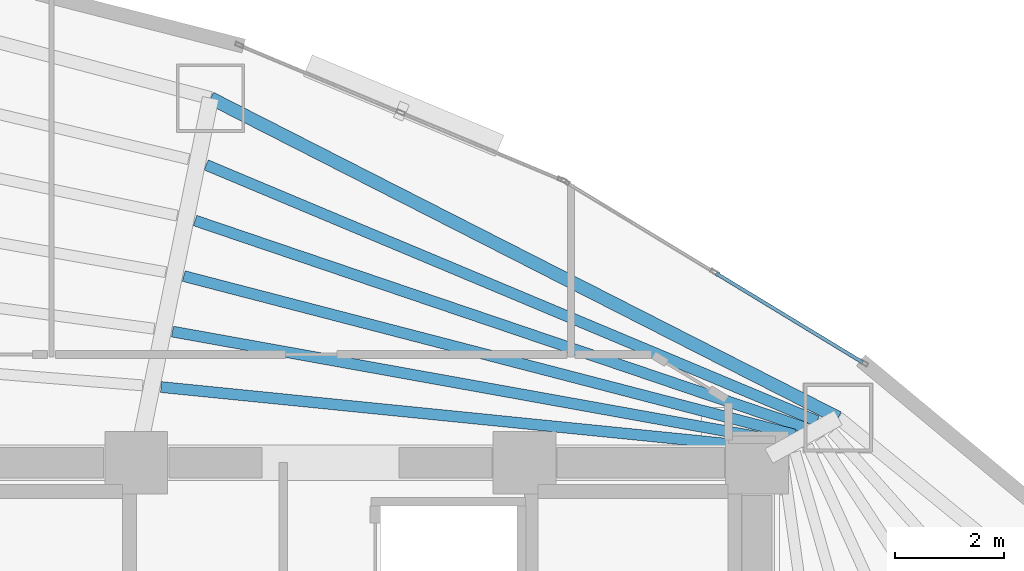
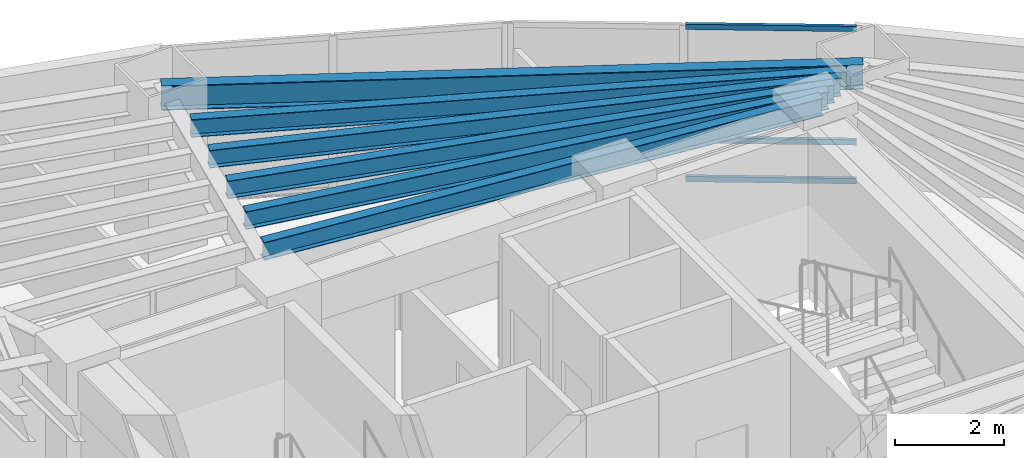
# One storey, part 10 of 18: 6 beams, 3 members, 1 element without a shape of its own.
"""IFC4 building model written with IfcOpenShell, lengths in metres."""

import ifcopenshell
import ifcopenshell.guid

model = None  # the IFC model being written
_history = None  # IfcOwnerHistory: only IFC2X3 demands one
_inside = {}  # id of a spatial element -> (the spatial element, [elements in it])
_under = {}  # id of a project, library or spatial element -> (it, [spatial elements below it])
_declared = {}  # id of a project -> (the project, [libraries it declares])
_typed = {}  # id of a type object -> (the type object, [elements of that type])
_made_of = {}  # id of a material, layer set ... -> (it, [elements and type objects made of it])


def new_model(schema):
    """Start an empty IFC model of exactly this schema.

    Asked for "IFC4X3", IfcOpenShell would pick the latest addendum, in which some entities
    have other attributes; the version numbers below select the first issue.
    IFC2X3 requires an IfcOwnerHistory on every rooted entity: one is made here for all.
    """
    global model, _history
    if schema == "IFC4X3":
        model = ifcopenshell.file(schema_version=(4, 3, 0, 0))
    else:
        model = ifcopenshell.file(schema=schema)
    _inside.clear()
    _under.clear()
    _declared.clear()
    _typed.clear()
    _made_of.clear()
    _history = None
    if model.schema == "IFC2X3":
        org = make("IfcOrganization", Name="unknown")
        user = make(
            "IfcPersonAndOrganization",
            ThePerson=make("IfcPerson", FamilyName="unknown"),
            TheOrganization=org,
        )
        app = make(
            "IfcApplication",
            ApplicationDeveloper=org,
            Version="unknown",
            ApplicationFullName="unknown",
            ApplicationIdentifier="unknown",
        )
        _history = make(
            "IfcOwnerHistory",
            OwningUser=user,
            OwningApplication=app,
            ChangeAction="ADDED",
            CreationDate=0,
        )
    return model


def make(cls, **values):
    """One entity of the class cls with the attributes given. An attribute that is None is left unset."""
    return model.create_entity(
        cls, **{name: value for name, value in values.items() if value is not None}
    )


def rooted(cls, **values):
    """An entity with a GlobalId (a new one), such as an element, a storey or a relation."""
    return make(cls, GlobalId=ifcopenshell.guid.new(), OwnerHistory=_history, **values)


def si_unit(unit_type, name, prefix=None):
    """IfcSIUnit, for example si_unit("LENGTHUNIT", "METRE", prefix="MILLI")."""
    return make("IfcSIUnit", UnitType=unit_type, Prefix=prefix, Name=name)


def assignment(units):
    """IfcUnitAssignment: the units of a project."""
    return None if units is None else make("IfcUnitAssignment", Units=units)


def point(xyz):
    """IfcCartesianPoint."""
    return None if xyz is None else make("IfcCartesianPoint", Coordinates=xyz)


def direction(xyz):
    """IfcDirection."""
    return None if xyz is None else make("IfcDirection", DirectionRatios=xyz)


def frame(location, z_axis=None, x_axis=None):
    """IfcAxis2Placement3D, a coordinate frame: its origin and axes. An axis left out is left unset."""
    return make(
        "IfcAxis2Placement3D",
        Location=point(location),
        Axis=direction(z_axis),
        RefDirection=direction(x_axis),
    )


def frame_2d(location, x_axis=None):
    """IfcAxis2Placement2D, a coordinate frame in the plane: its origin and x axis."""
    return make(
        "IfcAxis2Placement2D", Location=point(location), RefDirection=direction(x_axis)
    )


def origin():
    """The frame at (0, 0, 0) with its axes left unset."""
    return frame((0.0, 0.0, 0.0))


def origin_2d():
    """The frame at (0, 0) in the plane with its x axis left unset."""
    return frame_2d((0.0, 0.0))


def place(relative_to, where):
    """IfcLocalPlacement: puts the frame where relative to a parent placement (None: the world)."""
    return make(
        "IfcLocalPlacement", PlacementRelTo=relative_to, RelativePlacement=where
    )


def context(
    kind, dimensions, precision=None, world=None, true_north=None, identifier=None
):
    """IfcGeometricRepresentationContext, for example the 3D "Model" context."""
    return make(
        "IfcGeometricRepresentationContext",
        ContextIdentifier=identifier,
        ContextType=kind,
        CoordinateSpaceDimension=dimensions,
        Precision=precision,
        WorldCoordinateSystem=world,
        TrueNorth=true_north,
    )


def subcontext(parent, identifier, kind, view, scale=None):
    """IfcGeometricRepresentationSubContext, for example "Body" below "Model"."""
    return make(
        "IfcGeometricRepresentationSubContext",
        ContextIdentifier=identifier,
        ContextType=kind,
        ParentContext=parent,
        TargetScale=scale,
        TargetView=view,
    )


def project(units=None, contexts=None):
    """IfcProject with its units and contexts."""
    return rooted(
        "IfcProject",
        Name="project",
        RepresentationContexts=contexts,
        UnitsInContext=assignment(units),
    )


def spatial(cls, under=None, at=None, **own):
    """A site, building, storey or space (cls), placed at a placement, below another one or the project."""
    s = rooted(cls, ObjectPlacement=at, **own)
    if under is not None:
        _under.setdefault(under.id(), (under, []))[1].append(s)
    return s


def profile(cls, at=None, kind="AREA", **sizes):
    """A parametric profile (cls). Its sizes go by their IFC names, for example OverallWidth=200.0."""
    return make(cls, ProfileType=kind, Position=at, **sizes)


def hollow_rectangle(**sizes):
    """IfcRectangleHollowProfileDef."""
    return profile("IfcRectangleHollowProfileDef", **sizes)


def i_section(**sizes):
    """IfcIShapeProfileDef."""
    return profile("IfcIShapeProfileDef", **sizes)


def extrude(swept, where, along, depth):
    """IfcExtrudedAreaSolid: the profile swept, set in the frame where, extruded along a direction by depth."""
    return make(
        "IfcExtrudedAreaSolid",
        SweptArea=swept,
        Position=where,
        ExtrudedDirection=direction(along),
        Depth=depth,
    )


def shape(context_of_items, identifier, shape_type, items):
    """IfcShapeRepresentation: the items that make up one representation, for example the "Body"."""
    return make(
        "IfcShapeRepresentation",
        ContextOfItems=context_of_items,
        RepresentationIdentifier=identifier,
        RepresentationType=shape_type,
        Items=items,
    )


def material(Name=None, Category=None):
    """IfcMaterial."""
    return make("IfcMaterial", Name=Name, Category=Category)


def layer(
    of_material, thickness, ventilated=None, Name=None, Category=None, Priority=None
):
    """IfcMaterialLayer: one layer of a wall or slab, of a material (None: an air gap)."""
    return make(
        "IfcMaterialLayer",
        Material=of_material,
        LayerThickness=thickness,
        IsVentilated=ventilated,
        Name=Name,
        Category=Category,
        Priority=Priority,
    )


def layer_set(layers, Name=None):
    """IfcMaterialLayerSet."""
    return make("IfcMaterialLayerSet", MaterialLayers=layers, LayerSetName=Name)


def material_profile(
    of_material, cross_section, Name=None, Category=None, Priority=None
):
    """IfcMaterialProfile: a cross section and its material."""
    return make(
        "IfcMaterialProfile",
        Name=Name,
        Material=of_material,
        Profile=cross_section,
        Priority=Priority,
        Category=Category,
    )


def profile_set(profiles, Name=None, composite=None):
    """IfcMaterialProfileSet."""
    return make(
        "IfcMaterialProfileSet",
        Name=Name,
        MaterialProfiles=profiles,
        CompositeProfile=composite,
    )


def made_of(thing, what):
    """Note that an element or type object is made of a material, layer set ...; save() writes the relation."""
    if what is not None:
        _made_of.setdefault(what.id(), (what, []))[1].append(thing)
    return thing


def type_object(cls, material=None, **own):
    """A type object (cls), such as IfcWallType, which elements share."""
    return made_of(rooted(cls, **own), material)


def element(
    cls,
    number,
    at=None,
    inside=None,
    cuts=None,
    type_object=None,
    material=None,
    context=None,
    identifier="Body",
    shape_type=None,
    held_by="IfcProductDefinitionShape",
    body=None,
    shapes=None,
    **own,
):
    """One element of the class cls, such as IfcWall. Its Tag is "e" and its number.

    at: its placement. inside: the storey or other place that contains it. cuts: it is an
    opening in that element (IfcRelVoidsElement). A single representation is given by context,
    identifier, shape_type and body (its items); several are given by shapes. held_by: the class
    of the entity that holds the representations. save() writes the other relations.
    """
    e = rooted(cls, Tag="e%d" % number, ObjectPlacement=at, **own)
    if body is not None:
        shapes = [shape(context, identifier, shape_type, body)]
    if shapes is not None:
        e.Representation = make(held_by, Representations=shapes)
    if inside is not None:
        _inside.setdefault(inside.id(), (inside, []))[1].append(e)
    if cuts is not None:
        rooted(
            "IfcRelVoidsElement", RelatingBuildingElement=cuts, RelatedOpeningElement=e
        )
    if type_object is not None:
        _typed.setdefault(type_object.id(), (type_object, []))[1].append(e)
    return made_of(e, material)


def aggregate(whole, parts):
    """IfcRelAggregates: a whole, such as a stair, and the parts it consists of."""
    return rooted("IfcRelAggregates", RelatingObject=whole, RelatedObjects=parts)


def save(model, path):
    """Write the relations noted so far, then the file.

    IfcRelAggregates (storeys below a building ...), IfcRelContainedInSpatialStructure (elements
    in a storey), IfcRelDefinesByType, IfcRelAssociatesMaterial and IfcRelDeclares: one each for
    every whole, place, type object, material and project.
    """
    for whole, parts in _under.values():
        aggregate(whole, parts)
    for where, things in _inside.values():
        rooted(
            "IfcRelContainedInSpatialStructure",
            RelatedElements=things,
            RelatingStructure=where,
        )
    for kind, things in _typed.values():
        rooted("IfcRelDefinesByType", RelatedObjects=things, RelatingType=kind)
    for what, things in _made_of.values():
        rooted("IfcRelAssociatesMaterial", RelatedObjects=things, RelatingMaterial=what)
    for by, libraries in _declared.values():
        rooted("IfcRelDeclares", RelatingContext=by, RelatedDefinitions=libraries)
    model.write(path)


model = new_model("IFC4")

# Units and contexts
model_context = context("Model", 3, precision=1e-05, world=origin(), true_north=direction((0.0, 1.0)))
body_context = subcontext(model_context, "Body", "Model", "MODEL_VIEW")
ifc_project = project(units=[si_unit("LENGTHUNIT", "METRE"), si_unit("AREAUNIT", "SQUARE_METRE"), si_unit("VOLUMEUNIT", "CUBIC_METRE"), si_unit("PLANEANGLEUNIT", "RADIAN"), si_unit("MASSUNIT", "GRAM", prefix="KILO")], contexts=[model_context])

# Site, building, storey
site_placement = place(None, origin())
site = spatial("IfcSite", under=ifc_project, at=site_placement, CompositionType="ELEMENT")
building_placement = place(site_placement, origin())
building = spatial("IfcBuilding", under=site, at=building_placement, Name="Menara Vayukalpa", CompositionType="ELEMENT")
storey_placement = place(building_placement, frame((0.0, 0.0, 130.02001953125)))
storey = spatial("IfcBuildingStorey", under=building, at=storey_placement, Name="L32", CompositionType="ELEMENT", Elevation=130.02001953125)

# Beams
ifc_material_1 = material(Name="Steel S355", Category="steel")
ifc_material_profile_1 = material_profile(ifc_material_1, i_section(OverallWidth=0.199951171875, OverallDepth=0.39990234375, WebThickness=0.008056640625, FlangeThickness=0.012939453125, at=origin_2d()), Name="WF 400x200x8x13")
ifc_profile_set_1 = profile_set([ifc_material_profile_1], Name="Steel S355")
beam_type_1 = type_object("IfcBeamType", Name="BM-SJ2", PredefinedType="JOIST", material=ifc_profile_set_1)
beam_1_placement = place(storey_placement, frame((33.677978515625, 27.06396484375, 3.27001953125), z_axis=(-0.995012836574, 0.099746955103, 0.0), x_axis=(-0.099746955103, -0.995012836574, 0.0)))
element("IfcBeam", 1, at=beam_1_placement, inside=storey, type_object=beam_type_1, Name="L32 Secondary Floor Joist SJ02-1", PredefinedType="JOIST", context=body_context, shape_type="SweptSolid", body=[
    extrude(i_section(OverallWidth=0.199951171875, OverallDepth=0.39990234375, WebThickness=0.008056640625, FlangeThickness=0.012939453125, at=origin_2d()), origin(), (0.0, 0.0, 1.0), 11.2294921875),
])
beam_2_placement = place(storey_placement, frame((33.882568359375, 27.189208984375, 3.27001953125), z_axis=(-0.984205443357, 0.177030068819, 0.0), x_axis=(-0.177030068819, -0.984205443357, 0.0)))
element("IfcBeam", 2, at=beam_2_placement, inside=storey, type_object=beam_type_1, Name="L32 Secondary Floor Joist SJ02-2", PredefinedType="JOIST", context=body_context, shape_type="SweptSolid", body=[
    extrude(i_section(OverallWidth=0.199951171875, OverallDepth=0.39990234375, WebThickness=0.008056640625, FlangeThickness=0.012939453125, at=origin_2d()), origin(), (0.0, 0.0, 1.0), 11.349853515625),
])
beam_3_placement = place(storey_placement, frame((34.08837890625, 27.31396484375, 3.27001953125), z_axis=(-0.967921665574, 0.251252162802, 0.0), x_axis=(-0.251252162802, -0.967921665574, 0.0)))
element("IfcBeam", 3, at=beam_3_placement, inside=storey, type_object=beam_type_1, Name="L32 Secondary Floor Joist SJ02-3", PredefinedType="JOIST", context=body_context, shape_type="SweptSolid", body=[
    extrude(i_section(OverallWidth=0.199951171875, OverallDepth=0.39990234375, WebThickness=0.008056640625, FlangeThickness=0.012939453125, at=origin_2d()), origin(), (0.0, 0.0, 1.0), 11.539794921875),
])
beam_4_placement = place(storey_placement, frame((34.294677734375, 27.43798828125, 3.27001953125), z_axis=(-0.94694934653, 0.321382848183, 0.0), x_axis=(-0.321382848183, -0.94694934653, 0.0)))
element("IfcBeam", 4, at=beam_4_placement, inside=storey, type_object=beam_type_1, Name="L32 Secondary Floor Joist SJ02-4", PredefinedType="JOIST", context=body_context, shape_type="SweptSolid", body=[
    extrude(i_section(OverallWidth=0.199951171875, OverallDepth=0.39990234375, WebThickness=0.008056640625, FlangeThickness=0.012939453125, at=origin_2d()), origin(), (0.0, 0.0, 1.0), 11.7958984375),
])
beam_5_placement = place(storey_placement, frame((34.501708984375, 27.561279296875, 3.27001953125), z_axis=(-0.922216637658, 0.386673600375, 0.0), x_axis=(-0.386673600375, -0.922216637658, 0.0)))
element("IfcBeam", 5, at=beam_5_placement, inside=storey, type_object=beam_type_1, Name="L32 Secondary Floor Joist SJ02-5", PredefinedType="JOIST", context=body_context, shape_type="SweptSolid", body=[
    extrude(i_section(OverallWidth=0.199951171875, OverallDepth=0.39990234375, WebThickness=0.008056640625, FlangeThickness=0.012939453125, at=origin_2d()), origin(), (0.0, 0.0, 1.0), 12.114501953125),
])
ifc_material_2 = material(Name="Steel S355", Category="steel")
ifc_material_profile_2 = material_profile(ifc_material_2, i_section(OverallWidth=0.239990234375, OverallDepth=0.550048828125, WebThickness=0.010986328125, FlangeThickness=0.01904296875, at=origin_2d()), Name="WF 550x240x11x19")
ifc_profile_set_2 = profile_set([ifc_material_profile_2], Name="Steel S355")
beam_type_2 = type_object("IfcBeamType", Name="BM-SP2", PredefinedType="SPANDREL", material=ifc_profile_set_2)
beam_6_placement = place(storey_placement, frame((34.88671875, 27.62158203125, 3.195068359375), z_axis=(-0.891097345221, 0.453812209333, 0.0), x_axis=(-0.453812209333, -0.891097345221, 0.0)))
element("IfcBeam", 6, at=beam_6_placement, inside=storey, type_object=beam_type_2, Name="L32 Perimeter Spandrel Beam SP02", PredefinedType="SPANDREL", context=body_context, shape_type="SweptSolid", body=[
    extrude(i_section(OverallWidth=0.239990234375, OverallDepth=0.550048828125, WebThickness=0.010986328125, FlangeThickness=0.01904296875, at=origin_2d()), origin(), (0.0, 0.0, 1.0), 12.88134765625),
])

# Curtain wall, members
ifc_material_3 = material(Name="Anodised Terracotta Aluminium Alloy 6063-T6", Category="masonry")
ifc_layer = layer(ifc_material_3, 0.14990234375)
ifc_layer_set = layer_set([ifc_layer], Name="Anodised Terracotta Aluminium Alloy 6063-T6")
curtain_wall_type = type_object("IfcCurtainWallType", Name="CW-CW3", PredefinedType="USERDEFINED", material=ifc_layer_set)
curtain_wall_placement = place(storey_placement, origin())
curtain_wall = element("IfcCurtainWall", 7, at=curtain_wall_placement, inside=storey, type_object=curtain_wall_type, Name="L32 Mid Rise Terracotta Ribbon Curtain Wall CW3 04", ObjectType="UNITISED", PredefinedType="USERDEFINED")
ifc_material_4 = material(Name="Anodised Terracotta Aluminium Alloy 6063-T6", Category="masonry")
ifc_material_profile_3 = material_profile(ifc_material_4, hollow_rectangle(XDim=0.06494140625, YDim=0.1201171875, WallThickness=0.00341796875, at=origin_2d()), Name="ALU 65x120x3.5")
ifc_profile_set_3 = profile_set([ifc_material_profile_3], Name="Anodised Terracotta Aluminium Alloy 6063-T6")
member_type = type_object("IfcMemberType", Name="CWT-CW3", PredefinedType="USERDEFINED", material=ifc_profile_set_3)
member_1_placement = place(storey_placement, frame((35.33056640625, 28.6357421875, 0.032470703125), z_axis=(-0.854673871166, 0.519165266506, 0.0), x_axis=(-0.519165266506, -0.854673871166, 0.0)))
member_1 = element("IfcMember", 8, at=member_1_placement, type_object=member_type, Name="CW3 transom 1.1", ObjectType="TRANSOM", PredefinedType="USERDEFINED", context=body_context, shape_type="SweptSolid", body=[
    extrude(hollow_rectangle(XDim=0.06494140625, YDim=0.1201171875, WallThickness=0.00341796875, at=origin_2d()), origin(), (0.0, 0.0, 1.0), 3.1318359375),
])
member_2_placement = place(storey_placement, frame((35.33056640625, 28.6357421875, 0.89990234375), z_axis=(-0.854673871166, 0.519165266506, 0.0), x_axis=(-0.519165266506, -0.854673871166, 0.0)))
member_2 = element("IfcMember", 9, at=member_2_placement, type_object=member_type, Name="CW3 transom 1.2", ObjectType="TRANSOM", PredefinedType="USERDEFINED", context=body_context, shape_type="SweptSolid", body=[
    extrude(hollow_rectangle(XDim=0.06494140625, YDim=0.1201171875, WallThickness=0.00341796875, at=origin_2d()), origin(), (0.0, 0.0, 1.0), 3.1318359375),
])
member_3_placement = place(storey_placement, frame((35.33056640625, 28.6357421875, 3.4375), z_axis=(-0.854673871166, 0.519165266506, 0.0), x_axis=(-0.519165266506, -0.854673871166, 0.0)))
member_3 = element("IfcMember", 10, at=member_3_placement, type_object=member_type, Name="CW3 transom 1.3", ObjectType="TRANSOM", PredefinedType="USERDEFINED", context=body_context, shape_type="SweptSolid", body=[
    extrude(hollow_rectangle(XDim=0.06494140625, YDim=0.1201171875, WallThickness=0.00341796875, at=origin_2d()), origin(), (0.0, 0.0, 1.0), 3.1318359375),
])
aggregate(curtain_wall, [member_1, member_2, member_3])

save(model, "model.ifc")
